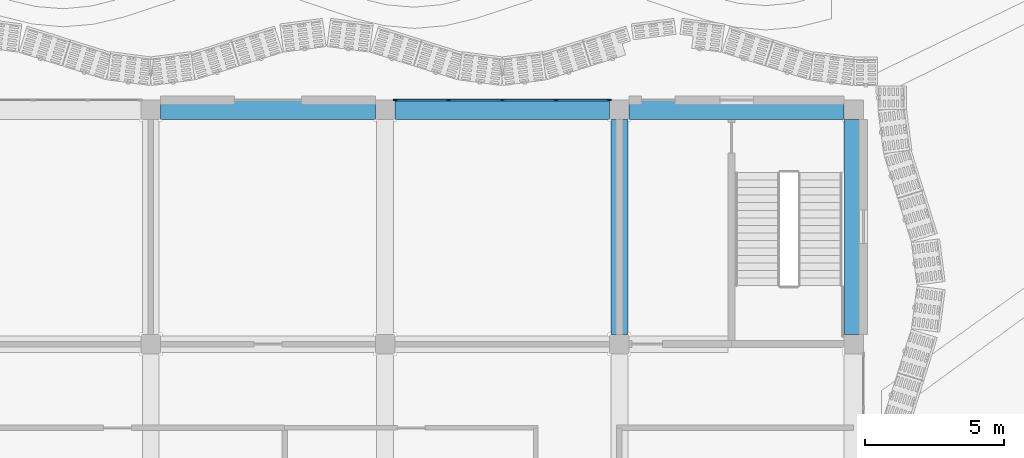
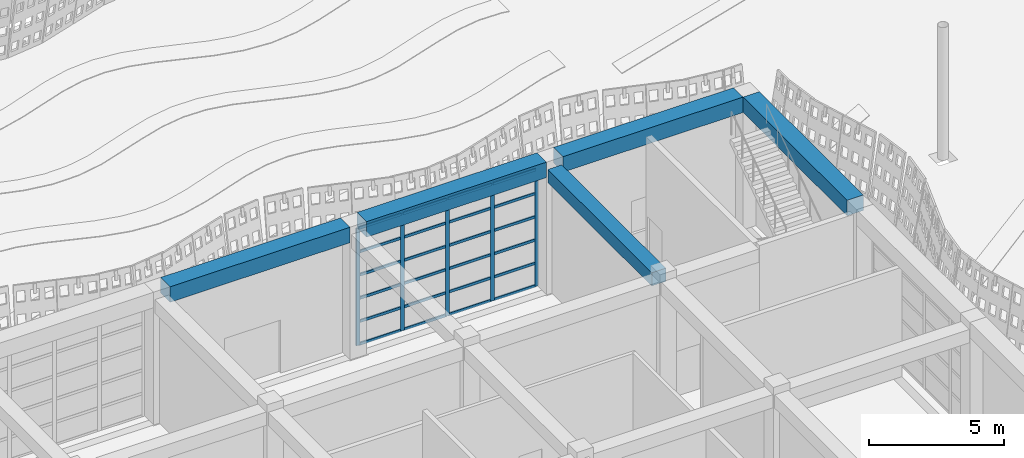
# One storey, part 28 of 210: 29 members, 5 beams, 1 element without a shape of its own.
"""IFC4 building model written with IfcOpenShell, lengths in metres."""

from ifc_helpers import new_model, si_unit, direction, frame, origin, origin_2d, place, context, subcontext, project, spatial, rectangle, extrude, material, material_profile, profile_set, type_object, element, aggregate, save


model = new_model("IFC4")

# Units and contexts
model_context = context("Model", 3, precision=1e-05, world=origin(), true_north=direction((0.0, 1.0)))
body_context = subcontext(model_context, "Body", "Model", "MODEL_VIEW")
ifc_project = project(units=[si_unit("LENGTHUNIT", "METRE"), si_unit("AREAUNIT", "SQUARE_METRE"), si_unit("VOLUMEUNIT", "CUBIC_METRE"), si_unit("PLANEANGLEUNIT", "RADIAN"), si_unit("MASSUNIT", "GRAM", prefix="KILO")], contexts=[model_context])

# Site, building, storey
site_placement = place(None, origin())
site = spatial("IfcSite", under=ifc_project, at=site_placement, CompositionType="ELEMENT")
building_placement = place(site_placement, origin())
building = spatial("IfcBuilding", under=site, at=building_placement, Name="Rain Tree Exposition and Congress Centre", CompositionType="ELEMENT")
storey_placement = place(building_placement, origin())
storey = spatial("IfcBuildingStorey", under=building, at=storey_placement, Name="L00", CompositionType="ELEMENT", Elevation=0.0)

# Beams
ifc_material_1 = material(Name="Precast concrete C50/60", Category="concrete")
ifc_material_profile_1 = material_profile(ifc_material_1, rectangle(XDim=0.60009765625, YDim=0.60009765625, at=origin_2d()), Name="RC 600x600")
ifc_profile_set_1 = profile_set([ifc_material_profile_1], Name="Precast concrete C50/60")
beam_type_1 = type_object("IfcBeamType", Name="Precast beam 600x600", PredefinedType="BEAM", material=ifc_profile_set_1)
beam_placement = place(storey_placement, frame((42.0, 42.35009765625, 5.35009765625), z_axis=(0.0, 1.0, 0.0), x_axis=(-1.0, 0.0, 0.0)))
element("IfcBeam", 1, at=beam_placement, inside=storey, type_object=beam_type_1, Name="wing/beam/L00/L01/060", PredefinedType="BEAM", context=body_context, shape_type="SweptSolid", body=[
    extrude(rectangle(XDim=0.60009765625, YDim=0.60009765625, at=origin_2d()), origin(), (0.0, 0.0, 1.0), 7.699951171875),
])
ifc_material_2 = material(Name="Precast concrete C50/60", Category="concrete")
ifc_material_profile_2 = material_profile(ifc_material_2, rectangle(XDim=0.699951171875, YDim=0.699951171875, at=origin_2d()), Name="RC 700x700")
ifc_profile_set_2 = profile_set([ifc_material_profile_2], Name="Precast concrete C50/60")
beam_type_2 = type_object("IfcBeamType", Name="Precast spandrel beam 700x700", PredefinedType="SPANDREL", material=ifc_profile_set_2)
for number, where, z_axis, x_axis, name in (
    (2, (25.550048828125, 50.39990234375, 5.64990234375), (1.0, 0.0, 0.0), (0.0, 1.0, 0.0), "wing/beam/L00/L01/067"),
    (3, (33.949951171875, 50.39990234375, 5.64990234375), (1.0, 0.0, 0.0), (0.0, 1.0, 0.0), "wing/beam/L00/L01/069"),
    (4, (42.35009765625, 50.39990234375, 5.64990234375), (1.0, 0.0, 0.0), (0.0, 1.0, 0.0), "wing/beam/L00/L01/071"),
    (5, (50.39990234375, 42.35009765625, 5.64990234375), (0.0, 1.0, 0.0), (-1.0, 0.0, 0.0), "wing/beam/L00/L01/072"),
):
    element("IfcBeam", number, at=place(storey_placement, frame(where, z_axis=z_axis, x_axis=x_axis)), inside=storey, type_object=beam_type_2, Name=name, PredefinedType="SPANDREL", context=body_context, shape_type="SweptSolid", body=[
        extrude(rectangle(XDim=0.699951171875, YDim=0.699951171875, at=origin_2d()), origin(), (0.0, 0.0, 1.0), 7.699951171875),
    ])

# Curtain wall, members
ifc_material_3 = material(Name="Aluminium curtain wall", Category="aluminium")
curtain_wall_type = type_object("IfcCurtainWallType", Name="Wing curtain wall 1925", PredefinedType="NOTDEFINED", material=ifc_material_3)
curtain_wall_placement = place(storey_placement, origin())
curtain_wall = element("IfcCurtainWall", 6, at=curtain_wall_placement, inside=storey, type_object=curtain_wall_type, Name="Curtain wall CWW105", PredefinedType="NOTDEFINED")
ifc_material_4 = material(Name="Aluminium", Category="aluminium")
ifc_material_profile_3 = material_profile(ifc_material_4, rectangle(XDim=0.06005859375, YDim=0.159912109375, at=origin_2d()), Name="Aluminium 60x160")
ifc_profile_set_3 = profile_set([ifc_material_profile_3], Name="Aluminium")
member_type_1 = type_object("IfcMemberType", Name="Wing mullion 60x160", PredefinedType="MULLION", material=ifc_profile_set_3)
member_1_placement = place(storey_placement, frame((33.97998046875, 50.75, 0.0), z_axis=(0.0, 0.0, 1.0), x_axis=(0.0, 1.0, 0.0)))
member_1 = element("IfcMember", 7, at=member_1_placement, type_object=member_type_1, Name="CWW105 mullion 1", PredefinedType="MULLION", context=body_context, shape_type="SweptSolid", body=[
    extrude(rectangle(XDim=0.06005859375, YDim=0.159912109375, at=origin_2d()), origin(), (0.0, 0.0, 1.0), 5.300048828125),
])
member_2_placement = place(storey_placement, frame((35.875, 50.75, 0.0), z_axis=(0.0, 0.0, 1.0), x_axis=(0.0, 1.0, 0.0)))
member_2 = element("IfcMember", 8, at=member_2_placement, type_object=member_type_1, Name="CWW105 mullion 2", PredefinedType="MULLION", context=body_context, shape_type="SweptSolid", body=[
    extrude(rectangle(XDim=0.06005859375, YDim=0.159912109375, at=origin_2d()), origin(), (0.0, 0.0, 1.0), 5.300048828125),
])
member_3_placement = place(storey_placement, frame((37.800048828125, 50.75, 0.0), z_axis=(0.0, 0.0, 1.0), x_axis=(0.0, 1.0, 0.0)))
member_3 = element("IfcMember", 9, at=member_3_placement, type_object=member_type_1, Name="CWW105 mullion 3", PredefinedType="MULLION", context=body_context, shape_type="SweptSolid", body=[
    extrude(rectangle(XDim=0.06005859375, YDim=0.159912109375, at=origin_2d()), origin(), (0.0, 0.0, 1.0), 5.300048828125),
])
member_4_placement = place(storey_placement, frame((39.72509765625, 50.75, 0.0), z_axis=(0.0, 0.0, 1.0), x_axis=(0.0, 1.0, 0.0)))
member_4 = element("IfcMember", 10, at=member_4_placement, type_object=member_type_1, Name="CWW105 mullion 4", PredefinedType="MULLION", context=body_context, shape_type="SweptSolid", body=[
    extrude(rectangle(XDim=0.06005859375, YDim=0.159912109375, at=origin_2d()), origin(), (0.0, 0.0, 1.0), 5.300048828125),
])
member_5_placement = place(storey_placement, frame((41.6201171875, 50.75, 0.0), z_axis=(0.0, 0.0, 1.0), x_axis=(0.0, 1.0, 0.0)))
member_5 = element("IfcMember", 11, at=member_5_placement, type_object=member_type_1, Name="CWW105 mullion 5", PredefinedType="MULLION", context=body_context, shape_type="SweptSolid", body=[
    extrude(rectangle(XDim=0.06005859375, YDim=0.159912109375, at=origin_2d()), origin(), (0.0, 0.0, 1.0), 5.300048828125),
])
ifc_material_5 = material(Name="Aluminium", Category="aluminium")
ifc_material_profile_4 = material_profile(ifc_material_5, rectangle(XDim=0.06005859375, YDim=0.1201171875, at=origin_2d()), Name="Aluminium 60x120")
ifc_profile_set_4 = profile_set([ifc_material_profile_4], Name="Aluminium")
member_type_2 = type_object("IfcMemberType", Name="Wing transom 60x120", PredefinedType="USERDEFINED", material=ifc_profile_set_4)
member_6_placement = place(storey_placement, frame((34.010009765625, 50.75, 0.030029296875), z_axis=(1.0, 0.0, 0.0), x_axis=(0.0, 1.0, 0.0)))
member_6 = element("IfcMember", 12, at=member_6_placement, type_object=member_type_2, Name="CWW105 transom 1.1", ObjectType="TRANSOM", PredefinedType="USERDEFINED", context=body_context, shape_type="SweptSolid", body=[
    extrude(rectangle(XDim=0.06005859375, YDim=0.1201171875, at=origin_2d()), origin(), (0.0, 0.0, 1.0), 1.8349609375),
])
member_7_placement = place(storey_placement, frame((34.010009765625, 50.75, 1.050048828125), z_axis=(1.0, 0.0, 0.0), x_axis=(0.0, 1.0, 0.0)))
member_7 = element("IfcMember", 13, at=member_7_placement, type_object=member_type_2, Name="CWW105 transom 1.2", ObjectType="TRANSOM", PredefinedType="USERDEFINED", context=body_context, shape_type="SweptSolid", body=[
    extrude(rectangle(XDim=0.06005859375, YDim=0.1201171875, at=origin_2d()), origin(), (0.0, 0.0, 1.0), 1.8349609375),
])
member_8_placement = place(storey_placement, frame((34.010009765625, 50.75, 2.10009765625), z_axis=(1.0, 0.0, 0.0), x_axis=(0.0, 1.0, 0.0)))
member_8 = element("IfcMember", 14, at=member_8_placement, type_object=member_type_2, Name="CWW105 transom 1.3", ObjectType="TRANSOM", PredefinedType="USERDEFINED", context=body_context, shape_type="SweptSolid", body=[
    extrude(rectangle(XDim=0.06005859375, YDim=0.1201171875, at=origin_2d()), origin(), (0.0, 0.0, 1.0), 1.8349609375),
])
member_9_placement = place(storey_placement, frame((34.010009765625, 50.75, 3.14990234375), z_axis=(1.0, 0.0, 0.0), x_axis=(0.0, 1.0, 0.0)))
member_9 = element("IfcMember", 15, at=member_9_placement, type_object=member_type_2, Name="CWW105 transom 1.4", ObjectType="TRANSOM", PredefinedType="USERDEFINED", context=body_context, shape_type="SweptSolid", body=[
    extrude(rectangle(XDim=0.06005859375, YDim=0.1201171875, at=origin_2d()), origin(), (0.0, 0.0, 1.0), 1.8349609375),
])
member_10_placement = place(storey_placement, frame((34.010009765625, 50.75, 4.199951171875), z_axis=(1.0, 0.0, 0.0), x_axis=(0.0, 1.0, 0.0)))
member_10 = element("IfcMember", 16, at=member_10_placement, type_object=member_type_2, Name="CWW105 transom 1.5", ObjectType="TRANSOM", PredefinedType="USERDEFINED", context=body_context, shape_type="SweptSolid", body=[
    extrude(rectangle(XDim=0.06005859375, YDim=0.1201171875, at=origin_2d()), origin(), (0.0, 0.0, 1.0), 1.8349609375),
])
member_11_placement = place(storey_placement, frame((34.010009765625, 50.75, 5.27001953125), z_axis=(1.0, 0.0, 0.0), x_axis=(0.0, 1.0, 0.0)))
member_11 = element("IfcMember", 17, at=member_11_placement, type_object=member_type_2, Name="CWW105 transom 1.6", ObjectType="TRANSOM", PredefinedType="USERDEFINED", context=body_context, shape_type="SweptSolid", body=[
    extrude(rectangle(XDim=0.06005859375, YDim=0.1201171875, at=origin_2d()), origin(), (0.0, 0.0, 1.0), 1.8349609375),
])
member_12_placement = place(storey_placement, frame((35.905029296875, 50.75, 0.030029296875), z_axis=(1.0, 0.0, 0.0), x_axis=(0.0, 1.0, 0.0)))
member_12 = element("IfcMember", 18, at=member_12_placement, type_object=member_type_2, Name="CWW105 transom 2.1", ObjectType="TRANSOM", PredefinedType="USERDEFINED", context=body_context, shape_type="SweptSolid", body=[
    extrude(rectangle(XDim=0.06005859375, YDim=0.1201171875, at=origin_2d()), origin(), (0.0, 0.0, 1.0), 1.864990234375),
])
member_13_placement = place(storey_placement, frame((35.905029296875, 50.75, 1.050048828125), z_axis=(1.0, 0.0, 0.0), x_axis=(0.0, 1.0, 0.0)))
member_13 = element("IfcMember", 19, at=member_13_placement, type_object=member_type_2, Name="CWW105 transom 2.2", ObjectType="TRANSOM", PredefinedType="USERDEFINED", context=body_context, shape_type="SweptSolid", body=[
    extrude(rectangle(XDim=0.06005859375, YDim=0.1201171875, at=origin_2d()), origin(), (0.0, 0.0, 1.0), 1.864990234375),
])
member_14_placement = place(storey_placement, frame((35.905029296875, 50.75, 2.10009765625), z_axis=(1.0, 0.0, 0.0), x_axis=(0.0, 1.0, 0.0)))
member_14 = element("IfcMember", 20, at=member_14_placement, type_object=member_type_2, Name="CWW105 transom 2.3", ObjectType="TRANSOM", PredefinedType="USERDEFINED", context=body_context, shape_type="SweptSolid", body=[
    extrude(rectangle(XDim=0.06005859375, YDim=0.1201171875, at=origin_2d()), origin(), (0.0, 0.0, 1.0), 1.864990234375),
])
member_15_placement = place(storey_placement, frame((35.905029296875, 50.75, 3.14990234375), z_axis=(1.0, 0.0, 0.0), x_axis=(0.0, 1.0, 0.0)))
member_15 = element("IfcMember", 21, at=member_15_placement, type_object=member_type_2, Name="CWW105 transom 2.4", ObjectType="TRANSOM", PredefinedType="USERDEFINED", context=body_context, shape_type="SweptSolid", body=[
    extrude(rectangle(XDim=0.06005859375, YDim=0.1201171875, at=origin_2d()), origin(), (0.0, 0.0, 1.0), 1.864990234375),
])
member_16_placement = place(storey_placement, frame((35.905029296875, 50.75, 4.199951171875), z_axis=(1.0, 0.0, 0.0), x_axis=(0.0, 1.0, 0.0)))
member_16 = element("IfcMember", 22, at=member_16_placement, type_object=member_type_2, Name="CWW105 transom 2.5", ObjectType="TRANSOM", PredefinedType="USERDEFINED", context=body_context, shape_type="SweptSolid", body=[
    extrude(rectangle(XDim=0.06005859375, YDim=0.1201171875, at=origin_2d()), origin(), (0.0, 0.0, 1.0), 1.864990234375),
])
member_17_placement = place(storey_placement, frame((35.905029296875, 50.75, 5.27001953125), z_axis=(1.0, 0.0, 0.0), x_axis=(0.0, 1.0, 0.0)))
member_17 = element("IfcMember", 23, at=member_17_placement, type_object=member_type_2, Name="CWW105 transom 2.6", ObjectType="TRANSOM", PredefinedType="USERDEFINED", context=body_context, shape_type="SweptSolid", body=[
    extrude(rectangle(XDim=0.06005859375, YDim=0.1201171875, at=origin_2d()), origin(), (0.0, 0.0, 1.0), 1.864990234375),
])
member_18_placement = place(storey_placement, frame((37.830078125, 50.75, 0.030029296875), z_axis=(1.0, 0.0, 0.0), x_axis=(0.0, 1.0, 0.0)))
member_18 = element("IfcMember", 24, at=member_18_placement, type_object=member_type_2, Name="CWW105 transom 3.1", ObjectType="TRANSOM", PredefinedType="USERDEFINED", context=body_context, shape_type="SweptSolid", body=[
    extrude(rectangle(XDim=0.06005859375, YDim=0.1201171875, at=origin_2d()), origin(), (0.0, 0.0, 1.0), 1.864990234375),
])
member_19_placement = place(storey_placement, frame((37.830078125, 50.75, 1.050048828125), z_axis=(1.0, 0.0, 0.0), x_axis=(0.0, 1.0, 0.0)))
member_19 = element("IfcMember", 25, at=member_19_placement, type_object=member_type_2, Name="CWW105 transom 3.2", ObjectType="TRANSOM", PredefinedType="USERDEFINED", context=body_context, shape_type="SweptSolid", body=[
    extrude(rectangle(XDim=0.06005859375, YDim=0.1201171875, at=origin_2d()), origin(), (0.0, 0.0, 1.0), 1.864990234375),
])
member_20_placement = place(storey_placement, frame((37.830078125, 50.75, 2.10009765625), z_axis=(1.0, 0.0, 0.0), x_axis=(0.0, 1.0, 0.0)))
member_20 = element("IfcMember", 26, at=member_20_placement, type_object=member_type_2, Name="CWW105 transom 3.3", ObjectType="TRANSOM", PredefinedType="USERDEFINED", context=body_context, shape_type="SweptSolid", body=[
    extrude(rectangle(XDim=0.06005859375, YDim=0.1201171875, at=origin_2d()), origin(), (0.0, 0.0, 1.0), 1.864990234375),
])
member_21_placement = place(storey_placement, frame((37.830078125, 50.75, 3.14990234375), z_axis=(1.0, 0.0, 0.0), x_axis=(0.0, 1.0, 0.0)))
member_21 = element("IfcMember", 27, at=member_21_placement, type_object=member_type_2, Name="CWW105 transom 3.4", ObjectType="TRANSOM", PredefinedType="USERDEFINED", context=body_context, shape_type="SweptSolid", body=[
    extrude(rectangle(XDim=0.06005859375, YDim=0.1201171875, at=origin_2d()), origin(), (0.0, 0.0, 1.0), 1.864990234375),
])
member_22_placement = place(storey_placement, frame((37.830078125, 50.75, 4.199951171875), z_axis=(1.0, 0.0, 0.0), x_axis=(0.0, 1.0, 0.0)))
member_22 = element("IfcMember", 28, at=member_22_placement, type_object=member_type_2, Name="CWW105 transom 3.5", ObjectType="TRANSOM", PredefinedType="USERDEFINED", context=body_context, shape_type="SweptSolid", body=[
    extrude(rectangle(XDim=0.06005859375, YDim=0.1201171875, at=origin_2d()), origin(), (0.0, 0.0, 1.0), 1.864990234375),
])
member_23_placement = place(storey_placement, frame((37.830078125, 50.75, 5.27001953125), z_axis=(1.0, 0.0, 0.0), x_axis=(0.0, 1.0, 0.0)))
member_23 = element("IfcMember", 29, at=member_23_placement, type_object=member_type_2, Name="CWW105 transom 3.6", ObjectType="TRANSOM", PredefinedType="USERDEFINED", context=body_context, shape_type="SweptSolid", body=[
    extrude(rectangle(XDim=0.06005859375, YDim=0.1201171875, at=origin_2d()), origin(), (0.0, 0.0, 1.0), 1.864990234375),
])
member_24_placement = place(storey_placement, frame((39.7548828125, 50.75, 0.030029296875), z_axis=(1.0, 0.0, 0.0), x_axis=(0.0, 1.0, 0.0)))
member_24 = element("IfcMember", 30, at=member_24_placement, type_object=member_type_2, Name="CWW105 transom 4.1", ObjectType="TRANSOM", PredefinedType="USERDEFINED", context=body_context, shape_type="SweptSolid", body=[
    extrude(rectangle(XDim=0.06005859375, YDim=0.1201171875, at=origin_2d()), origin(), (0.0, 0.0, 1.0), 1.835205078125),
])
member_25_placement = place(storey_placement, frame((39.7548828125, 50.75, 1.050048828125), z_axis=(1.0, 0.0, 0.0), x_axis=(0.0, 1.0, 0.0)))
member_25 = element("IfcMember", 31, at=member_25_placement, type_object=member_type_2, Name="CWW105 transom 4.2", ObjectType="TRANSOM", PredefinedType="USERDEFINED", context=body_context, shape_type="SweptSolid", body=[
    extrude(rectangle(XDim=0.06005859375, YDim=0.1201171875, at=origin_2d()), origin(), (0.0, 0.0, 1.0), 1.835205078125),
])
member_26_placement = place(storey_placement, frame((39.7548828125, 50.75, 2.10009765625), z_axis=(1.0, 0.0, 0.0), x_axis=(0.0, 1.0, 0.0)))
member_26 = element("IfcMember", 32, at=member_26_placement, type_object=member_type_2, Name="CWW105 transom 4.3", ObjectType="TRANSOM", PredefinedType="USERDEFINED", context=body_context, shape_type="SweptSolid", body=[
    extrude(rectangle(XDim=0.06005859375, YDim=0.1201171875, at=origin_2d()), origin(), (0.0, 0.0, 1.0), 1.835205078125),
])
member_27_placement = place(storey_placement, frame((39.7548828125, 50.75, 3.14990234375), z_axis=(1.0, 0.0, 0.0), x_axis=(0.0, 1.0, 0.0)))
member_27 = element("IfcMember", 33, at=member_27_placement, type_object=member_type_2, Name="CWW105 transom 4.4", ObjectType="TRANSOM", PredefinedType="USERDEFINED", context=body_context, shape_type="SweptSolid", body=[
    extrude(rectangle(XDim=0.06005859375, YDim=0.1201171875, at=origin_2d()), origin(), (0.0, 0.0, 1.0), 1.835205078125),
])
member_28_placement = place(storey_placement, frame((39.7548828125, 50.75, 4.199951171875), z_axis=(1.0, 0.0, 0.0), x_axis=(0.0, 1.0, 0.0)))
member_28 = element("IfcMember", 34, at=member_28_placement, type_object=member_type_2, Name="CWW105 transom 4.5", ObjectType="TRANSOM", PredefinedType="USERDEFINED", context=body_context, shape_type="SweptSolid", body=[
    extrude(rectangle(XDim=0.06005859375, YDim=0.1201171875, at=origin_2d()), origin(), (0.0, 0.0, 1.0), 1.835205078125),
])
member_29_placement = place(storey_placement, frame((39.7548828125, 50.75, 5.27001953125), z_axis=(1.0, 0.0, 0.0), x_axis=(0.0, 1.0, 0.0)))
member_29 = element("IfcMember", 35, at=member_29_placement, type_object=member_type_2, Name="CWW105 transom 4.6", ObjectType="TRANSOM", PredefinedType="USERDEFINED", context=body_context, shape_type="SweptSolid", body=[
    extrude(rectangle(XDim=0.06005859375, YDim=0.1201171875, at=origin_2d()), origin(), (0.0, 0.0, 1.0), 1.835205078125),
])
aggregate(curtain_wall, [member_1, member_2, member_3, member_4, member_5, member_6, member_7, member_8, member_9, member_10, member_11, member_12, member_13, member_14, member_15, member_16, member_17, member_18, member_19, member_20, member_21, member_22, member_23, member_24, member_25, member_26, member_27, member_28, member_29])

save(model, "model.ifc")
